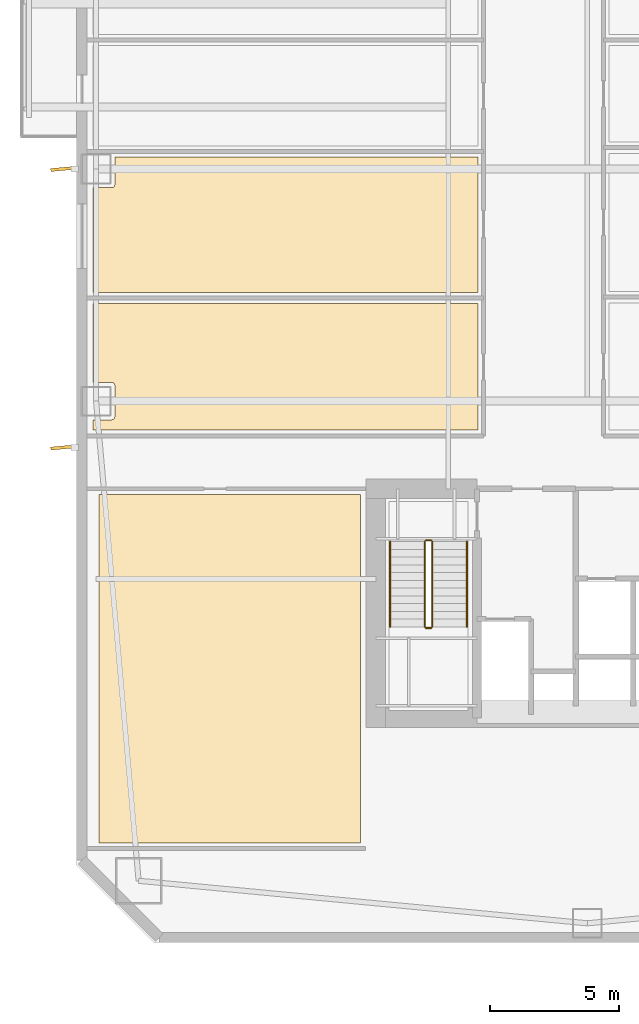
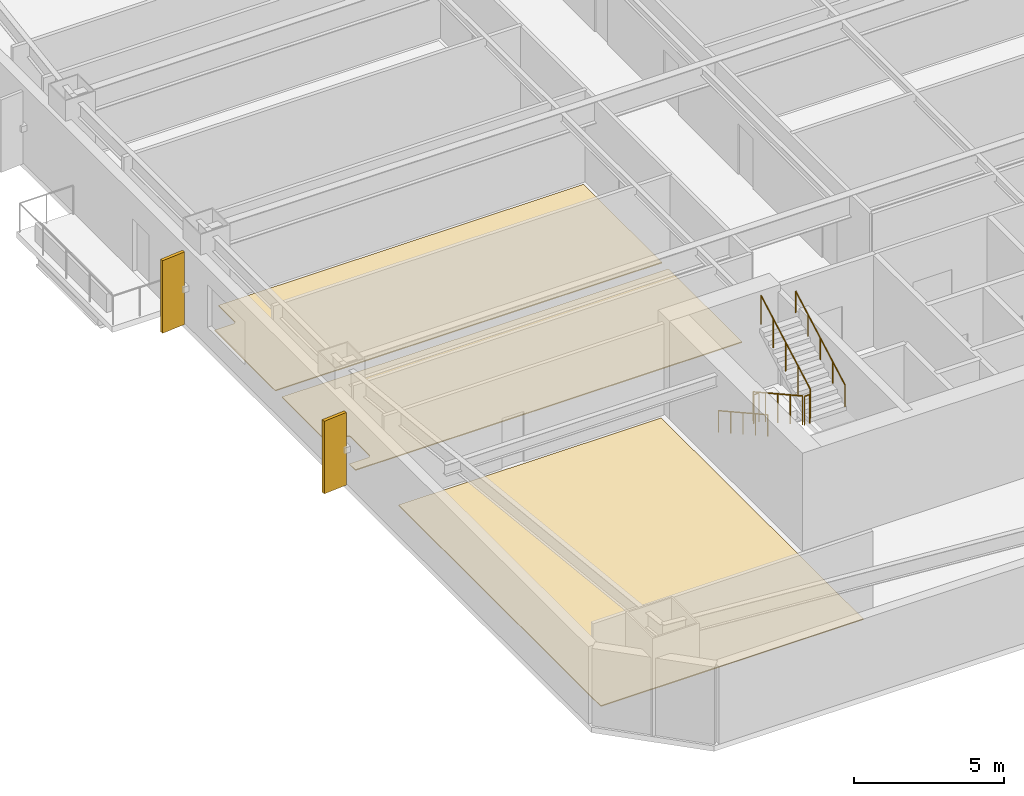
# One storey, part 13 of 21: 6 railings, 3 coverings, 2 shading devices.
"""IFC4 building model written with IfcOpenShell, lengths in metres."""

from ifc_helpers import new_model, si_unit, direction, frame, origin, origin_2d, place, context, subcontext, project, spatial, polyline, rectangle, circle, outline, extrude, material, layer, layer_set, type_object, element, save


model = new_model("IFC4")

# Units and contexts
model_context = context("Model", 3, precision=1e-05, world=origin(), true_north=direction((0.0, 1.0)))
body_context = subcontext(model_context, "Body", "Model", "MODEL_VIEW")
ifc_project = project(units=[si_unit("LENGTHUNIT", "METRE"), si_unit("AREAUNIT", "SQUARE_METRE"), si_unit("VOLUMEUNIT", "CUBIC_METRE"), si_unit("PLANEANGLEUNIT", "RADIAN"), si_unit("MASSUNIT", "GRAM", prefix="KILO")], contexts=[model_context])

# Site, building, storey
site_placement = place(None, origin())
site = spatial("IfcSite", under=ifc_project, at=site_placement, CompositionType="ELEMENT")
building_placement = place(site_placement, origin())
building = spatial("IfcBuilding", under=site, at=building_placement, Name="Qiaolan Cultural Towers", CompositionType="ELEMENT")
storey_placement = place(building_placement, frame((0.0, 0.0, 34.0)))
storey = spatial("IfcBuildingStorey", under=building, at=storey_placement, Name="L07", CompositionType="ELEMENT", Elevation=34.0)

# Coverings
ifc_material_1 = material(Name="Honed Terrazzo & Raised Access Flooring", Category="concrete")
ifc_layer_1 = layer(ifc_material_1, 0.0400390625)
ifc_layer_set_1 = layer_set([ifc_layer_1], Name="Honed Terrazzo & Raised Access Flooring")
covering_type = type_object("IfcCoveringType", Name="COV-FLR-STONE", PredefinedType="FLOORING", material=ifc_layer_set_1)
covering_1_placement = place(storey_placement, origin())
element("IfcCovering", 1, at=covering_1_placement, inside=storey, type_object=covering_type, Name="L07 Corner Gallery Exhibition Room Finish Flooring", PredefinedType="FLOORING", context=body_context, shape_type="SweptSolid", body=[
    extrude(outline(polyline([(21.199951171875, 7.8701171875), (21.199951171875, 21.3798828125), (11.070068359375, 21.3798828125), (11.070068359375, 7.8701171875), (21.199951171875, 7.8701171875)])), origin(), (0.0, 0.0, 1.0), 0.0400390625),
])
covering_2_placement = place(storey_placement, origin())
element("IfcCovering", 2, at=covering_2_placement, inside=storey, type_object=covering_type, Name="L07 Gallery Exhibition Room Finish Flooring", PredefinedType="FLOORING", context=body_context, shape_type="SweptSolid", body=[
    extrude(outline(polyline([(10.840087890625, 25.72509765625), (11.554931640625, 25.72509765625), (11.566650390625, 25.724365234375), (11.578369140625, 25.72265625), (11.58984375, 25.7197265625), (11.600830078125, 25.7158203125), (11.611572265625, 25.7109375), (11.62158203125, 25.704833984375), (11.631103515625, 25.69775390625), (11.639892578125, 25.68994140625), (11.647705078125, 25.68115234375), (11.65478515625, 25.671630859375), (11.660888671875, 25.66162109375), (11.665771484375, 25.65087890625), (11.669921875, 25.639892578125), (11.672607421875, 25.62841796875), (11.67431640625, 25.61669921875), (11.675048828125, 25.60498046875), (11.675048828125, 24.39501953125), (11.67431640625, 24.38330078125), (11.672607421875, 24.37158203125), (11.669921875, 24.360107421875), (11.665771484375, 24.34912109375), (11.660888671875, 24.33837890625), (11.65478515625, 24.328369140625), (11.647705078125, 24.31884765625), (11.639892578125, 24.31005859375), (11.631103515625, 24.30224609375), (11.62158203125, 24.295166015625), (11.611572265625, 24.2890625), (11.600830078125, 24.2841796875), (11.58984375, 24.2802734375), (11.578369140625, 24.27734375), (11.566650390625, 24.275634765625), (11.554931640625, 24.27490234375), (10.840087890625, 24.27490234375), (10.840087890625, 23.8701171875), (25.7548828125, 23.8701171875), (25.7548828125, 28.780029296875), (10.840087890625, 28.780029296875), (10.840087890625, 25.72509765625)])), origin(), (0.0, 0.0, 1.0), 0.0400390625),
])
covering_3_placement = place(storey_placement, origin())
element("IfcCovering", 3, at=covering_3_placement, inside=storey, type_object=covering_type, Name="L07 Curatorial Office Finish Flooring", PredefinedType="FLOORING", context=body_context, shape_type="SweptSolid", body=[
    extrude(outline(polyline([(11.675048828125, 34.4599609375), (11.675048828125, 33.39501953125), (11.67431640625, 33.38330078125), (11.672607421875, 33.37158203125), (11.669921875, 33.360107421875), (11.665771484375, 33.34912109375), (11.660888671875, 33.33837890625), (11.65478515625, 33.328369140625), (11.647705078125, 33.31884765625), (11.639892578125, 33.31005859375), (11.631103515625, 33.30224609375), (11.62158203125, 33.295166015625), (11.611572265625, 33.2890625), (11.600830078125, 33.2841796875), (11.58984375, 33.2802734375), (11.578369140625, 33.27734375), (11.566650390625, 33.275634765625), (11.554931640625, 33.27490234375), (10.840087890625, 33.27490234375), (10.840087890625, 29.219970703125), (25.7548828125, 29.219970703125), (25.7548828125, 34.4599609375), (11.675048828125, 34.4599609375)])), origin(), (0.0, 0.0, 1.0), 0.0400390625),
])

# Railings
ifc_material_2 = material(Name="Galvanized Painted Steel Stair Guardrail", Category="steel")
railing_type_1 = type_object("IfcRailingType", Name="RL-STAIR-GRD", PredefinedType="GUARDRAIL", material=ifc_material_2)
railing_1_placement = place(storey_placement, frame((23.68994140625, 19.550048828125, 0.166748046875)))
element("IfcRailing", 4, at=railing_1_placement, inside=storey, type_object=railing_type_1, Name="L07 ST-W1 stair guard 1", PredefinedType="GUARDRAIL", context=body_context, shape_type="SweptSolid", body=[
    extrude(circle(Radius=0.02392578125, at=origin_2d()), frame((0.0, 0.0, 1.17578125), z_axis=(0.0, -0.874169478083, 0.485620966999), x_axis=(1.0, 0.0, 0.0)), (0.0, 0.0, 1.0), 3.775146484375),
    extrude(circle(Radius=0.02099609375, at=origin_2d()), origin(), (0.0, 0.0, 1.0), 1.15185546875),
    extrude(circle(Radius=0.02099609375, at=origin_2d()), frame((0.0, -0.824951171875, 0.458251953125)), (0.0, 0.0, 1.0), 1.15185546875),
    extrude(circle(Radius=0.02099609375, at=origin_2d()), frame((0.0, -1.64990234375, 0.91650390625)), (0.0, 0.0, 1.0), 1.15185546875),
    extrude(circle(Radius=0.02099609375, at=origin_2d()), frame((0.0, -2.47509765625, 1.375)), (0.0, 0.0, 1.0), 1.15185546875),
    extrude(circle(Radius=0.02099609375, at=origin_2d()), frame((0.0, -3.300048828125, 1.833251953125)), (0.0, 0.0, 1.0), 1.15185546875),
])
railing_2_placement = place(storey_placement, frame((23.739990234375, 16.199951171875, 2.0)))
element("IfcRailing", 5, at=railing_2_placement, inside=storey, type_object=railing_type_1, Name="L07 ST-W1 stair guard 2", PredefinedType="GUARDRAIL", context=body_context, shape_type="SweptSolid", body=[
    extrude(circle(Radius=0.02392578125, at=origin_2d()), frame((0.0, 0.0, 1.17578125), z_axis=(1.0, 0.0, 0.0), x_axis=(0.0, 1.0, 0.0)), (0.0, 0.0, 1.0), 0.199951171875),
    extrude(circle(Radius=0.02099609375, at=origin_2d()), origin(), (0.0, 0.0, 1.0), 1.15185546875),
    extrude(circle(Radius=0.02099609375, at=origin_2d()), frame((0.199951171875, 0.0, 0.0)), (0.0, 0.0, 1.0), 1.15185546875),
])
railing_3_placement = place(storey_placement, frame((23.989990234375, 16.25, 2.166748046875)))
element("IfcRailing", 6, at=railing_3_placement, inside=storey, type_object=railing_type_1, Name="L07 ST-W1 stair guard 3", PredefinedType="GUARDRAIL", context=body_context, shape_type="SweptSolid", body=[
    extrude(circle(Radius=0.02392578125, at=origin_2d()), frame((0.0, 0.0, 1.17578125), z_axis=(0.0, 0.874169478083, 0.485620966999), x_axis=(-1.0, 0.0, 0.0)), (0.0, 0.0, 1.0), 3.775146484375),
    extrude(circle(Radius=0.02099609375, at=origin_2d()), origin(), (0.0, 0.0, 1.0), 1.15185546875),
    extrude(circle(Radius=0.02099609375, at=origin_2d()), frame((0.0, 0.824951171875, 0.458251953125)), (0.0, 0.0, 1.0), 1.15185546875),
    extrude(circle(Radius=0.02099609375, at=origin_2d()), frame((0.0, 1.64990234375, 0.91650390625)), (0.0, 0.0, 1.0), 1.15185546875),
    extrude(circle(Radius=0.02099609375, at=origin_2d()), frame((0.0, 2.47509765625, 1.375)), (0.0, 0.0, 1.0), 1.15185546875),
    extrude(circle(Radius=0.02099609375, at=origin_2d()), frame((0.0, 3.300048828125, 1.833251953125)), (0.0, 0.0, 1.0), 1.15185546875),
])
railing_4_placement = place(storey_placement, frame((23.739990234375, 19.60009765625, 0.0)))
element("IfcRailing", 7, at=railing_4_placement, inside=storey, type_object=railing_type_1, Name="L07 ST-W1 stair guard 4", PredefinedType="GUARDRAIL", context=body_context, shape_type="SweptSolid", body=[
    extrude(circle(Radius=0.02392578125, at=origin_2d()), frame((0.0, 0.0, 1.17578125), z_axis=(1.0, 0.0, 0.0), x_axis=(0.0, 1.0, 0.0)), (0.0, 0.0, 1.0), 0.199951171875),
    extrude(circle(Radius=0.02099609375, at=origin_2d()), origin(), (0.0, 0.0, 1.0), 1.15185546875),
    extrude(circle(Radius=0.02099609375, at=origin_2d()), frame((0.199951171875, 0.0, 0.0)), (0.0, 0.0, 1.0), 1.15185546875),
])
ifc_material_3 = material(Name="Stainless Steel S30408 Tubular Handrail", Category="steel")
railing_type_2 = type_object("IfcRailingType", Name="RL-STAIR-HR", PredefinedType="HANDRAIL", material=ifc_material_3)
railing_5_placement = place(storey_placement, frame((22.35009765625, 19.550048828125, 0.166748046875)))
element("IfcRailing", 8, at=railing_5_placement, inside=storey, type_object=railing_type_2, Name="L07 ST-W1 stair handrail 1", PredefinedType="HANDRAIL", context=body_context, shape_type="SweptSolid", body=[
    extrude(circle(Radius=0.02392578125, at=origin_2d()), frame((0.0, 0.0, 0.8759765625), z_axis=(0.0, -0.874169478083, 0.485620966999), x_axis=(1.0, 0.0, 0.0)), (0.0, 0.0, 1.0), 3.775146484375),
    extrude(circle(Radius=0.02099609375, at=origin_2d()), origin(), (0.0, 0.0, 1.0), 0.851806640625),
    extrude(circle(Radius=0.02099609375, at=origin_2d()), frame((0.0, -0.824951171875, 0.458251953125)), (0.0, 0.0, 1.0), 0.851806640625),
    extrude(circle(Radius=0.02099609375, at=origin_2d()), frame((0.0, -1.64990234375, 0.91650390625)), (0.0, 0.0, 1.0), 0.851806640625),
    extrude(circle(Radius=0.02099609375, at=origin_2d()), frame((0.0, -2.47509765625, 1.375)), (0.0, 0.0, 1.0), 0.851806640625),
    extrude(circle(Radius=0.02099609375, at=origin_2d()), frame((0.0, -3.300048828125, 1.833251953125)), (0.0, 0.0, 1.0), 0.851806640625),
])
railing_6_placement = place(storey_placement, frame((25.330078125, 16.25, 2.166748046875)))
element("IfcRailing", 9, at=railing_6_placement, inside=storey, type_object=railing_type_2, Name="L07 ST-W1 stair handrail 2", PredefinedType="HANDRAIL", context=body_context, shape_type="SweptSolid", body=[
    extrude(circle(Radius=0.02392578125, at=origin_2d()), frame((0.0, 0.0, 0.8759765625), z_axis=(0.0, 0.874169478083, 0.485620966999), x_axis=(-1.0, 0.0, 0.0)), (0.0, 0.0, 1.0), 3.775146484375),
    extrude(circle(Radius=0.02099609375, at=origin_2d()), origin(), (0.0, 0.0, 1.0), 0.851806640625),
    extrude(circle(Radius=0.02099609375, at=origin_2d()), frame((0.0, 0.824951171875, 0.458251953125)), (0.0, 0.0, 1.0), 0.851806640625),
    extrude(circle(Radius=0.02099609375, at=origin_2d()), frame((0.0, 1.64990234375, 0.91650390625)), (0.0, 0.0, 1.0), 0.851806640625),
    extrude(circle(Radius=0.02099609375, at=origin_2d()), frame((0.0, 2.47509765625, 1.375)), (0.0, 0.0, 1.0), 0.851806640625),
    extrude(circle(Radius=0.02099609375, at=origin_2d()), frame((0.0, 3.300048828125, 1.833251953125)), (0.0, 0.0, 1.0), 0.851806640625),
])

# Shading devices
ifc_material_4 = material(Name="Dark Basalt Honed Precast Terracotta Fin", Category="masonry")
ifc_layer_2 = layer(ifc_material_4, 0.1201171875)
ifc_layer_set_2 = layer_set([ifc_layer_2], Name="Dark Basalt Honed Precast Terracotta Fin")
shading_device_type = type_object("IfcShadingDeviceType", Name="SHD-FIN-DARK", PredefinedType="USERDEFINED", material=ifc_layer_set_2)
for number, where, z_axis, x_axis, name in (
    (10, (9.639892578125, 23.199951171875, 0.10009765625), (0.0, 0.0, 1.0), (0.995993912618, 0.089421060319, 0.0), "L07 T1 Expressive Precast Vertical Fin W1"),
    (11, (9.639892578125, 34.0, 0.10009765625), (0.0, 0.0, 1.0), (0.995993912618, 0.089421060319, 0.0), "L07 T1 Expressive Precast Vertical Fin W2"),
):
    element("IfcShadingDevice", number, at=place(storey_placement, frame(where, z_axis=z_axis, x_axis=x_axis)), inside=storey, type_object=shading_device_type, Name=name, ObjectType="FIN", PredefinedType="USERDEFINED", context=body_context, shape_type="SweptSolid", body=[
        extrude(rectangle(XDim=0.89990234375, YDim=0.1201171875, at=origin_2d()), origin(), (0.0, 0.0, 1.0), 2.9599609375),
    ])

save(model, "model.ifc")
